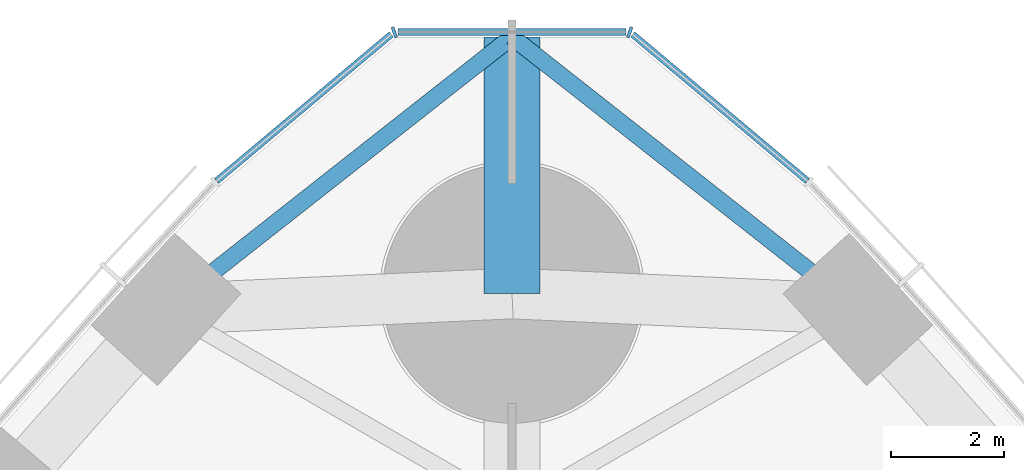
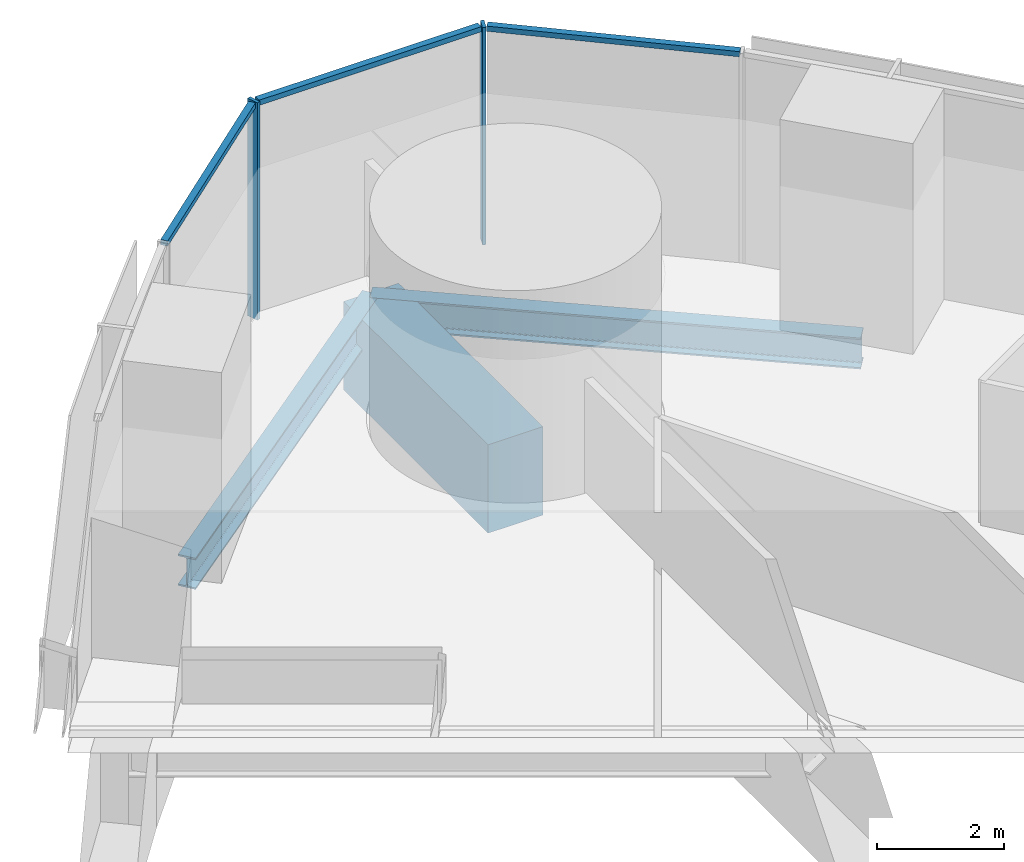
# One storey, part 8 of 18: 5 members, 3 beams, 1 element without a shape of its own.
"""IFC4 building model written with IfcOpenShell, lengths in metres."""

from ifc_helpers import new_model, si_unit, direction, frame, origin, origin_2d, place, context, subcontext, project, spatial, rectangle, i_section, extrude, material, material_profile, profile_set, type_object, element, aggregate, save


model = new_model("IFC4")

# Units and contexts
model_context = context("Model", 3, precision=1e-05, world=origin(), true_north=direction((0.0, 1.0)))
body_context = subcontext(model_context, "Body", "Model", "MODEL_VIEW")
ifc_project = project(units=[si_unit("LENGTHUNIT", "METRE"), si_unit("AREAUNIT", "SQUARE_METRE"), si_unit("VOLUMEUNIT", "CUBIC_METRE"), si_unit("PLANEANGLEUNIT", "RADIAN"), si_unit("MASSUNIT", "GRAM", prefix="KILO")], contexts=[model_context])

# Site, building, storey
site_placement = place(None, origin())
site = spatial("IfcSite", under=ifc_project, at=site_placement, CompositionType="ELEMENT")
building_placement = place(site_placement, origin())
building = spatial("IfcBuilding", under=site, at=building_placement, Name="Trefoil Bronze Tower", CompositionType="ELEMENT")
storey_placement = place(building_placement, frame((0.0, 0.0, 115.699951171875)))
storey = spatial("IfcBuildingStorey", under=building, at=storey_placement, Name="L26", CompositionType="ELEMENT", Elevation=115.699951171875)

# Curtain wall, members
ifc_material_1 = material(Name="Tinted solar-control glass", Category="glass")
curtain_wall_type = type_object("IfcCurtainWallType", Name="Bronze rounded corner curtain wall", PredefinedType="USERDEFINED", material=ifc_material_1)
curtain_wall_placement = place(storey_placement, origin())
curtain_wall = element("IfcCurtainWall", 1, at=curtain_wall_placement, inside=storey, type_object=curtain_wall_type, Name="CW-B L26 K2", ObjectType="CURTAIN WALL", PredefinedType="USERDEFINED")
ifc_material_2 = material(Name="Bronze-finish aluminium", Category="aluminium")
ifc_material_profile_1 = material_profile(ifc_material_2, rectangle(XDim=0.199951171875, YDim=0.06005859375, at=origin_2d()), Name="CW-B mullion")
ifc_profile_set_1 = profile_set([ifc_material_profile_1], Name="Bronze-finish aluminium")
member_type_1 = type_object("IfcMemberType", Name="Bronze rounded corner curtain wall mullion", PredefinedType="MULLION", material=ifc_profile_set_1)
member_1_placement = place(storey_placement, frame((2.08642578125, 39.631591796875, 0.0), z_axis=(0.0, 0.0, 1.0), x_axis=(-0.342020143326, -0.939692620786, 0.0)))
member_1 = element("IfcMember", 2, at=member_1_placement, type_object=member_type_1, Name="CW-B L26 K2 mullion 2", PredefinedType="MULLION", context=body_context, shape_type="SweptSolid", body=[
    extrude(rectangle(XDim=0.199951171875, YDim=0.06005859375, at=origin_2d()), origin(), (0.0, 0.0, 1.0), 4.179931640625),
])
member_2_placement = place(storey_placement, frame((-2.08642578125, 39.631591796875, 0.0), z_axis=(0.0, 0.0, 1.0), x_axis=(0.342020143326, -0.939692620786, 0.0)))
member_2 = element("IfcMember", 3, at=member_2_placement, type_object=member_type_1, Name="CW-B L26 K2 mullion 3", PredefinedType="MULLION", context=body_context, shape_type="SweptSolid", body=[
    extrude(rectangle(XDim=0.199951171875, YDim=0.06005859375, at=origin_2d()), origin(), (0.0, 0.0, 1.0), 4.179931640625),
])
ifc_material_3 = material(Name="Bronze-finish aluminium", Category="aluminium")
ifc_material_profile_2 = material_profile(ifc_material_3, rectangle(XDim=0.1201171875, YDim=0.10009765625, at=origin_2d()), Name="CW-B transom")
ifc_profile_set_2 = profile_set([ifc_material_profile_2], Name="Bronze-finish aluminium")
member_type_2 = type_object("IfcMemberType", Name="Bronze rounded corner curtain wall transom", PredefinedType="USERDEFINED", material=ifc_profile_set_2)
member_3_placement = place(storey_placement, frame((5.237548828125, 36.9951171875, 4.130126953125), z_axis=(-0.766049624684, 0.642781434487, 0.0), x_axis=(-0.642781434487, -0.766049624684, 0.0)))
member_3 = element("IfcMember", 4, at=member_3_placement, type_object=member_type_2, Name="CW-B L26 K2 transom 1", ObjectType="TRANSOM", PredefinedType="USERDEFINED", context=body_context, shape_type="SweptSolid", body=[
    extrude(rectangle(XDim=0.1201171875, YDim=0.10009765625, at=origin_2d()), origin(), (0.0, 0.0, 1.0), 4.04443359375),
])
member_4_placement = place(storey_placement, frame((2.022216796875, 39.637451171875, 4.130126953125), z_axis=(-1.0, 0.0, 0.0), x_axis=(0.0, -1.0, 0.0)))
member_4 = element("IfcMember", 5, at=member_4_placement, type_object=member_type_2, Name="CW-B L26 K2 transom 2", ObjectType="TRANSOM", PredefinedType="USERDEFINED", context=body_context, shape_type="SweptSolid", body=[
    extrude(rectangle(XDim=0.1201171875, YDim=0.10009765625, at=origin_2d()), origin(), (0.0, 0.0, 1.0), 4.04443359375),
])
member_5_placement = place(storey_placement, frame((-2.139404296875, 39.5947265625, 4.130126953125), z_axis=(-0.766049624684, -0.642781434487, 0.0), x_axis=(0.642781434487, -0.766049624684, 0.0)))
member_5 = element("IfcMember", 6, at=member_5_placement, type_object=member_type_2, Name="CW-B L26 K2 transom 3", ObjectType="TRANSOM", PredefinedType="USERDEFINED", context=body_context, shape_type="SweptSolid", body=[
    extrude(rectangle(XDim=0.1201171875, YDim=0.10009765625, at=origin_2d()), origin(), (0.0, 0.0, 1.0), 4.04443359375),
])
aggregate(curtain_wall, [member_1, member_2, member_3, member_4, member_5])

# Beams
ifc_material_4 = material(Name="Concrete B80", Category="concrete")
ifc_material_profile_3 = material_profile(ifc_material_4, rectangle(XDim=1.0, YDim=1.699951171875, at=origin_2d()), Name="RC 1000x1700")
ifc_profile_set_3 = profile_set([ifc_material_profile_3], Name="Concrete B80")
beam_type_1 = type_object("IfcBeamType", Name="Corner cantilever RC 1000x1700", PredefinedType="BEAM", material=ifc_profile_set_3)
beam_placement = place(storey_placement, frame((0.0, 35.0, -1.050048828125), z_axis=(0.0, 1.0, 0.0), x_axis=(-1.0, 0.0, 0.0)))
element("IfcBeam", 7, at=beam_placement, inside=storey, type_object=beam_type_1, Name="Corner cantilever K2 L26", PredefinedType="BEAM", context=body_context, shape_type="SweptSolid", body=[
    extrude(rectangle(XDim=1.0, YDim=1.699951171875, at=origin_2d()), origin(), (0.0, 0.0, 1.0), 4.54931640625),
])
ifc_material_5 = material(Name="Steel C355", Category="steel")
ifc_material_profile_4 = material_profile(ifc_material_5, i_section(OverallWidth=0.300048828125, OverallDepth=0.60009765625, WebThickness=0.015380859375, FlangeThickness=0.030029296875, FilletRadius=0.027099609375, at=origin_2d()), Name="HEB 600")
ifc_profile_set_4 = profile_set([ifc_material_profile_4], Name="Steel C355")
beam_type_2 = type_object("IfcBeamType", Name="Corner edge beam HEB 600", PredefinedType="BEAM", material=ifc_profile_set_4)
for number, where, z_axis, x_axis, name in (
    (8, (6.13916015625, 34.72119140625, -0.5), (-0.786038406433, 0.61817766347, 0.0), (-0.61817766347, -0.786038406433, 0.0), "Corner edge beam F2A L26"),
    (9, (-6.13916015625, 34.72119140625, -0.5), (0.786038406433, 0.61817766347, 0.0), (-0.61817766347, 0.786038406433, 0.0), "Corner edge beam F3B L26"),
):
    element("IfcBeam", number, at=place(storey_placement, frame(where, z_axis=z_axis, x_axis=x_axis)), inside=storey, type_object=beam_type_2, Name=name, PredefinedType="BEAM", context=body_context, shape_type="SweptSolid", body=[
        extrude(i_section(OverallWidth=0.300048828125, OverallDepth=0.60009765625, WebThickness=0.015380859375, FlangeThickness=0.030029296875, FilletRadius=0.027099609375, at=origin_2d()), origin(), (0.0, 0.0, 1.0), 7.810302734375),
    ])

save(model, "model.ifc")
